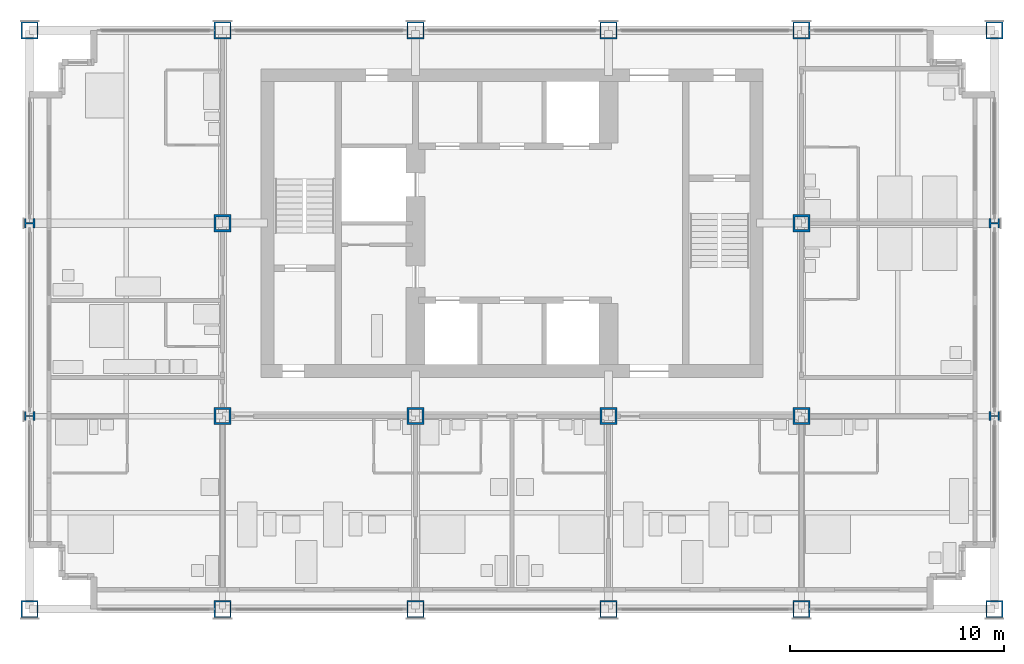
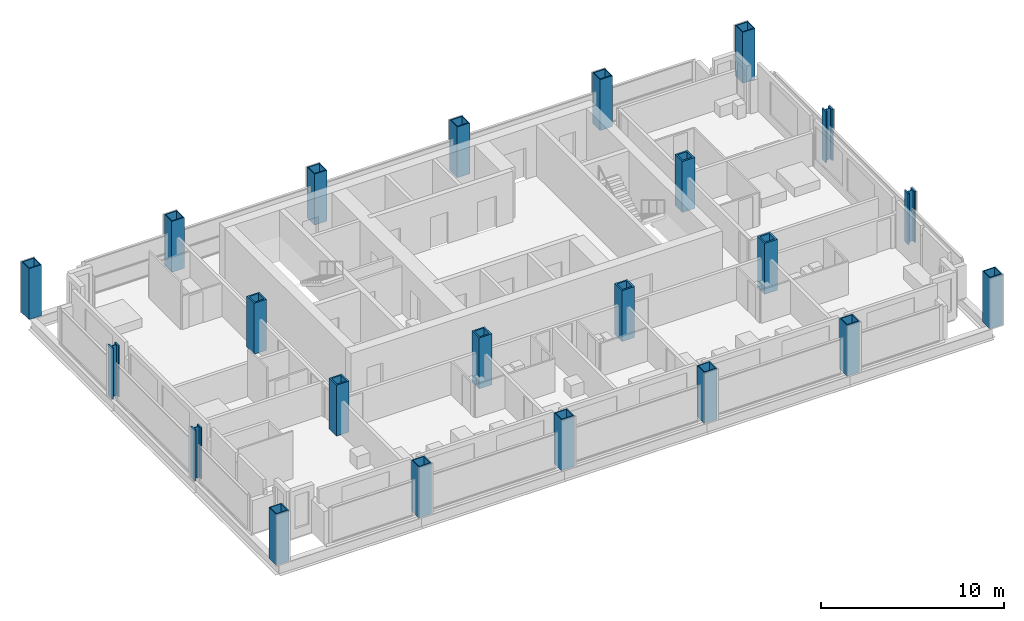
# One storey, part 1 of 13: 22 columns.
"""IFC4 building model written with IfcOpenShell, lengths in metres."""

import ifcopenshell
import ifcopenshell.guid

model = None  # the IFC model being written
_history = None  # IfcOwnerHistory: only IFC2X3 demands one
_inside = {}  # id of a spatial element -> (the spatial element, [elements in it])
_under = {}  # id of a project, library or spatial element -> (it, [spatial elements below it])
_declared = {}  # id of a project -> (the project, [libraries it declares])
_typed = {}  # id of a type object -> (the type object, [elements of that type])
_made_of = {}  # id of a material, layer set ... -> (it, [elements and type objects made of it])


def new_model(schema):
    """Start an empty IFC model of exactly this schema.

    Asked for "IFC4X3", IfcOpenShell would pick the latest addendum, in which some entities
    have other attributes; the version numbers below select the first issue.
    IFC2X3 requires an IfcOwnerHistory on every rooted entity: one is made here for all.
    """
    global model, _history
    if schema == "IFC4X3":
        model = ifcopenshell.file(schema_version=(4, 3, 0, 0))
    else:
        model = ifcopenshell.file(schema=schema)
    _inside.clear()
    _under.clear()
    _declared.clear()
    _typed.clear()
    _made_of.clear()
    _history = None
    if model.schema == "IFC2X3":
        org = make("IfcOrganization", Name="unknown")
        user = make(
            "IfcPersonAndOrganization",
            ThePerson=make("IfcPerson", FamilyName="unknown"),
            TheOrganization=org,
        )
        app = make(
            "IfcApplication",
            ApplicationDeveloper=org,
            Version="unknown",
            ApplicationFullName="unknown",
            ApplicationIdentifier="unknown",
        )
        _history = make(
            "IfcOwnerHistory",
            OwningUser=user,
            OwningApplication=app,
            ChangeAction="ADDED",
            CreationDate=0,
        )
    return model


def make(cls, **values):
    """One entity of the class cls with the attributes given. An attribute that is None is left unset."""
    return model.create_entity(
        cls, **{name: value for name, value in values.items() if value is not None}
    )


def rooted(cls, **values):
    """An entity with a GlobalId (a new one), such as an element, a storey or a relation."""
    return make(cls, GlobalId=ifcopenshell.guid.new(), OwnerHistory=_history, **values)


def si_unit(unit_type, name, prefix=None):
    """IfcSIUnit, for example si_unit("LENGTHUNIT", "METRE", prefix="MILLI")."""
    return make("IfcSIUnit", UnitType=unit_type, Prefix=prefix, Name=name)


def assignment(units):
    """IfcUnitAssignment: the units of a project."""
    return None if units is None else make("IfcUnitAssignment", Units=units)


def point(xyz):
    """IfcCartesianPoint."""
    return None if xyz is None else make("IfcCartesianPoint", Coordinates=xyz)


def direction(xyz):
    """IfcDirection."""
    return None if xyz is None else make("IfcDirection", DirectionRatios=xyz)


def frame(location, z_axis=None, x_axis=None):
    """IfcAxis2Placement3D, a coordinate frame: its origin and axes. An axis left out is left unset."""
    return make(
        "IfcAxis2Placement3D",
        Location=point(location),
        Axis=direction(z_axis),
        RefDirection=direction(x_axis),
    )


def frame_2d(location, x_axis=None):
    """IfcAxis2Placement2D, a coordinate frame in the plane: its origin and x axis."""
    return make(
        "IfcAxis2Placement2D", Location=point(location), RefDirection=direction(x_axis)
    )


def origin():
    """The frame at (0, 0, 0) with its axes left unset."""
    return frame((0.0, 0.0, 0.0))


def origin_2d():
    """The frame at (0, 0) in the plane with its x axis left unset."""
    return frame_2d((0.0, 0.0))


def place(relative_to, where):
    """IfcLocalPlacement: puts the frame where relative to a parent placement (None: the world)."""
    return make(
        "IfcLocalPlacement", PlacementRelTo=relative_to, RelativePlacement=where
    )


def context(
    kind, dimensions, precision=None, world=None, true_north=None, identifier=None
):
    """IfcGeometricRepresentationContext, for example the 3D "Model" context."""
    return make(
        "IfcGeometricRepresentationContext",
        ContextIdentifier=identifier,
        ContextType=kind,
        CoordinateSpaceDimension=dimensions,
        Precision=precision,
        WorldCoordinateSystem=world,
        TrueNorth=true_north,
    )


def subcontext(parent, identifier, kind, view, scale=None):
    """IfcGeometricRepresentationSubContext, for example "Body" below "Model"."""
    return make(
        "IfcGeometricRepresentationSubContext",
        ContextIdentifier=identifier,
        ContextType=kind,
        ParentContext=parent,
        TargetScale=scale,
        TargetView=view,
    )


def project(units=None, contexts=None):
    """IfcProject with its units and contexts."""
    return rooted(
        "IfcProject",
        Name="project",
        RepresentationContexts=contexts,
        UnitsInContext=assignment(units),
    )


def spatial(cls, under=None, at=None, **own):
    """A site, building, storey or space (cls), placed at a placement, below another one or the project."""
    s = rooted(cls, ObjectPlacement=at, **own)
    if under is not None:
        _under.setdefault(under.id(), (under, []))[1].append(s)
    return s


def profile(cls, at=None, kind="AREA", **sizes):
    """A parametric profile (cls). Its sizes go by their IFC names, for example OverallWidth=200.0."""
    return make(cls, ProfileType=kind, Position=at, **sizes)


def hollow_rectangle(**sizes):
    """IfcRectangleHollowProfileDef."""
    return profile("IfcRectangleHollowProfileDef", **sizes)


def i_section(**sizes):
    """IfcIShapeProfileDef."""
    return profile("IfcIShapeProfileDef", **sizes)


def extrude(swept, where, along, depth):
    """IfcExtrudedAreaSolid: the profile swept, set in the frame where, extruded along a direction by depth."""
    return make(
        "IfcExtrudedAreaSolid",
        SweptArea=swept,
        Position=where,
        ExtrudedDirection=direction(along),
        Depth=depth,
    )


def shape(context_of_items, identifier, shape_type, items):
    """IfcShapeRepresentation: the items that make up one representation, for example the "Body"."""
    return make(
        "IfcShapeRepresentation",
        ContextOfItems=context_of_items,
        RepresentationIdentifier=identifier,
        RepresentationType=shape_type,
        Items=items,
    )


def material(Name=None, Category=None):
    """IfcMaterial."""
    return make("IfcMaterial", Name=Name, Category=Category)


def material_profile(
    of_material, cross_section, Name=None, Category=None, Priority=None
):
    """IfcMaterialProfile: a cross section and its material."""
    return make(
        "IfcMaterialProfile",
        Name=Name,
        Material=of_material,
        Profile=cross_section,
        Priority=Priority,
        Category=Category,
    )


def profile_set(profiles, Name=None, composite=None):
    """IfcMaterialProfileSet."""
    return make(
        "IfcMaterialProfileSet",
        Name=Name,
        MaterialProfiles=profiles,
        CompositeProfile=composite,
    )


def made_of(thing, what):
    """Note that an element or type object is made of a material, layer set ...; save() writes the relation."""
    if what is not None:
        _made_of.setdefault(what.id(), (what, []))[1].append(thing)
    return thing


def type_object(cls, material=None, **own):
    """A type object (cls), such as IfcWallType, which elements share."""
    return made_of(rooted(cls, **own), material)


def element(
    cls,
    number,
    at=None,
    inside=None,
    cuts=None,
    type_object=None,
    material=None,
    context=None,
    identifier="Body",
    shape_type=None,
    held_by="IfcProductDefinitionShape",
    body=None,
    shapes=None,
    **own,
):
    """One element of the class cls, such as IfcWall. Its Tag is "e" and its number.

    at: its placement. inside: the storey or other place that contains it. cuts: it is an
    opening in that element (IfcRelVoidsElement). A single representation is given by context,
    identifier, shape_type and body (its items); several are given by shapes. held_by: the class
    of the entity that holds the representations. save() writes the other relations.
    """
    e = rooted(cls, Tag="e%d" % number, ObjectPlacement=at, **own)
    if body is not None:
        shapes = [shape(context, identifier, shape_type, body)]
    if shapes is not None:
        e.Representation = make(held_by, Representations=shapes)
    if inside is not None:
        _inside.setdefault(inside.id(), (inside, []))[1].append(e)
    if cuts is not None:
        rooted(
            "IfcRelVoidsElement", RelatingBuildingElement=cuts, RelatedOpeningElement=e
        )
    if type_object is not None:
        _typed.setdefault(type_object.id(), (type_object, []))[1].append(e)
    return made_of(e, material)


def aggregate(whole, parts):
    """IfcRelAggregates: a whole, such as a stair, and the parts it consists of."""
    return rooted("IfcRelAggregates", RelatingObject=whole, RelatedObjects=parts)


def save(model, path):
    """Write the relations noted so far, then the file.

    IfcRelAggregates (storeys below a building ...), IfcRelContainedInSpatialStructure (elements
    in a storey), IfcRelDefinesByType, IfcRelAssociatesMaterial and IfcRelDeclares: one each for
    every whole, place, type object, material and project.
    """
    for whole, parts in _under.values():
        aggregate(whole, parts)
    for where, things in _inside.values():
        rooted(
            "IfcRelContainedInSpatialStructure",
            RelatedElements=things,
            RelatingStructure=where,
        )
    for kind, things in _typed.values():
        rooted("IfcRelDefinesByType", RelatedObjects=things, RelatingType=kind)
    for what, things in _made_of.values():
        rooted("IfcRelAssociatesMaterial", RelatedObjects=things, RelatingMaterial=what)
    for by, libraries in _declared.values():
        rooted("IfcRelDeclares", RelatingContext=by, RelatedDefinitions=libraries)
    model.write(path)


model = new_model("IFC4")

# Units and contexts
model_context = context("Model", 3, precision=1e-05, world=origin(), true_north=direction((0.0, 1.0)))
body_context = subcontext(model_context, "Body", "Model", "MODEL_VIEW")
ifc_project = project(units=[si_unit("LENGTHUNIT", "METRE"), si_unit("AREAUNIT", "SQUARE_METRE"), si_unit("VOLUMEUNIT", "CUBIC_METRE"), si_unit("PLANEANGLEUNIT", "RADIAN"), si_unit("MASSUNIT", "GRAM", prefix="KILO")], contexts=[model_context])

# Site, building, storey
site_placement = place(None, origin())
site = spatial("IfcSite", under=ifc_project, at=site_placement, CompositionType="ELEMENT")
building_placement = place(site_placement, origin())
building = spatial("IfcBuilding", under=site, at=building_placement, Name="Loomwork Tower", CompositionType="ELEMENT")
storey_placement = place(building_placement, frame((0.0, 0.0, 218.199951171875)))
storey = spatial("IfcBuildingStorey", under=building, at=storey_placement, Name="L60", CompositionType="ELEMENT", Elevation=218.199951171875)

# Columns
ifc_material_1 = material(Name="Steel ASTM A572 Grade 50 plate", Category="steel")
ifc_material_profile_1 = material_profile(ifc_material_1, hollow_rectangle(XDim=0.800048828125, YDim=0.800048828125, WallThickness=0.06005859375, at=origin_2d()), Name="BOX800x60")
ifc_profile_set_1 = profile_set([ifc_material_profile_1], Name="Steel ASTM A572 Grade 50 plate")
column_type_1 = type_object("IfcColumnType", Name="EXOSKELETON PIER BOX800x60", PredefinedType="COLUMN", material=ifc_profile_set_1)
for number, where, z_axis, x_axis, name in (
    (1, (0.0, 0.0, 0.0), (0.0, 0.0, 1.0), (1.0, 0.0, 0.0), "Exoskeleton Pier D/2 L60"),
    (2, (0.0, 27.0, 0.0), (0.0, 0.0, 1.0), (0.0, 1.0, 0.0), "Exoskeleton Pier G/2 L60"),
    (3, (9.0, 0.0, 0.0), (0.0, 0.0, 1.0), (1.0, 0.0, 0.0), "Exoskeleton Pier D/3 L60"),
    (4, (9.0, 27.0, 0.0), (0.0, 0.0, 1.0), (1.0, 0.0, 0.0), "Exoskeleton Pier G/3 L60"),
    (5, (18.0, 0.0, 0.0), (0.0, 0.0, 1.0), (1.0, 0.0, 0.0), "Exoskeleton Pier D/4 L60"),
    (6, (18.0, 27.0, 0.0), (0.0, 0.0, 1.0), (1.0, 0.0, 0.0), "Exoskeleton Pier G/4 L60"),
    (7, (27.0, 0.0, 0.0), (0.0, 0.0, 1.0), (1.0, 0.0, 0.0), "Exoskeleton Pier D/5 L60"),
    (8, (27.0, 27.0, 0.0), (0.0, 0.0, 1.0), (1.0, 0.0, 0.0), "Exoskeleton Pier G/5 L60"),
    (9, (36.0, 0.0, 0.0), (0.0, 0.0, 1.0), (1.0, 0.0, 0.0), "Exoskeleton Pier D/6 L60"),
    (10, (36.0, 27.0, 0.0), (0.0, 0.0, 1.0), (1.0, 0.0, 0.0), "Exoskeleton Pier G/6 L60"),
    (11, (45.0, 0.0, 0.0), (0.0, 0.0, 1.0), (1.0, 0.0, 0.0), "Exoskeleton Pier D/7 L60"),
    (12, (45.0, 27.0, 0.0), (0.0, 0.0, 1.0), (0.0, 1.0, 0.0), "Exoskeleton Pier G/7 L60"),
):
    element("IfcColumn", number, at=place(storey_placement, frame(where, z_axis=z_axis, x_axis=x_axis)), inside=storey, type_object=column_type_1, Name=name, PredefinedType="COLUMN", context=body_context, shape_type="SweptSolid", body=[
        extrude(hollow_rectangle(XDim=0.800048828125, YDim=0.800048828125, WallThickness=0.06005859375, at=origin_2d()), origin(), (0.0, 0.0, 1.0), 3.400146484375),
    ])
ifc_material_2 = material(Name="Steel ASTM A992", Category="steel")
ifc_material_profile_2 = material_profile(ifc_material_2, i_section(OverallWidth=0.4267578125, OverallDepth=0.482666015625, WebThickness=0.05126953125, FlangeThickness=0.08154296875, at=origin_2d()), Name="W14x455")
ifc_profile_set_2 = profile_set([ifc_material_profile_2], Name="Steel ASTM A992")
column_type_2 = type_object("IfcColumnType", Name="EXOSKELETON PIER W14x455", PredefinedType="COLUMN", material=ifc_profile_set_2)
for number, where, z_axis, x_axis, name in (
    (13, (0.0, 9.0, 0.0), (0.0, 0.0, 1.0), (0.0, 1.0, 0.0), "Exoskeleton Pier E/2 L60"),
    (14, (0.0, 18.0, 0.0), (0.0, 0.0, 1.0), (0.0, 1.0, 0.0), "Exoskeleton Pier F/2 L60"),
    (15, (45.0, 9.0, 0.0), (0.0, 0.0, 1.0), (0.0, 1.0, 0.0), "Exoskeleton Pier E/7 L60"),
    (16, (45.0, 18.0, 0.0), (0.0, 0.0, 1.0), (0.0, 1.0, 0.0), "Exoskeleton Pier F/7 L60"),
):
    element("IfcColumn", number, at=place(storey_placement, frame(where, z_axis=z_axis, x_axis=x_axis)), inside=storey, type_object=column_type_2, Name=name, PredefinedType="COLUMN", context=body_context, shape_type="SweptSolid", body=[
        extrude(i_section(OverallWidth=0.4267578125, OverallDepth=0.482666015625, WebThickness=0.05126953125, FlangeThickness=0.08154296875, at=origin_2d()), origin(), (0.0, 0.0, 1.0), 3.400146484375),
    ])
ifc_material_3 = material(Name="Steel ASTM A572 Grade 50 plate", Category="steel")
ifc_material_profile_3 = material_profile(ifc_material_3, hollow_rectangle(XDim=0.800048828125, YDim=0.800048828125, WallThickness=0.10009765625, at=origin_2d()), Name="BOX800x100")
ifc_profile_set_3 = profile_set([ifc_material_profile_3], Name="Steel ASTM A572 Grade 50 plate")
column_type_3 = type_object("IfcColumnType", Name="TOWER COLUMN BOX800x100", PredefinedType="COLUMN", material=ifc_profile_set_3)
for number, where, z_axis, x_axis, name in (
    (17, (9.0, 9.0, 0.0), (0.0, 0.0, 1.0), (1.0, 0.0, 0.0), "Tower Column E/3 L60"),
    (18, (9.0, 18.0, 0.0), (0.0, 0.0, 1.0), (1.0, 0.0, 0.0), "Tower Column F/3 L60"),
    (19, (18.0, 9.0, 0.0), (0.0, 0.0, 1.0), (1.0, 0.0, 0.0), "Tower Column E/4 L60"),
    (20, (27.0, 9.0, 0.0), (0.0, 0.0, 1.0), (1.0, 0.0, 0.0), "Tower Column E/5 L60"),
    (21, (36.0, 9.0, 0.0), (0.0, 0.0, 1.0), (0.0, 1.0, 0.0), "Tower Column E/6 L60"),
    (22, (36.0, 18.0, 0.0), (0.0, 0.0, 1.0), (0.0, 1.0, 0.0), "Tower Column F/6 L60"),
):
    element("IfcColumn", number, at=place(storey_placement, frame(where, z_axis=z_axis, x_axis=x_axis)), inside=storey, type_object=column_type_3, Name=name, PredefinedType="COLUMN", context=body_context, shape_type="SweptSolid", body=[
        extrude(hollow_rectangle(XDim=0.800048828125, YDim=0.800048828125, WallThickness=0.10009765625, at=origin_2d()), origin(), (0.0, 0.0, 1.0), 3.400146484375),
    ])

save(model, "model.ifc")
